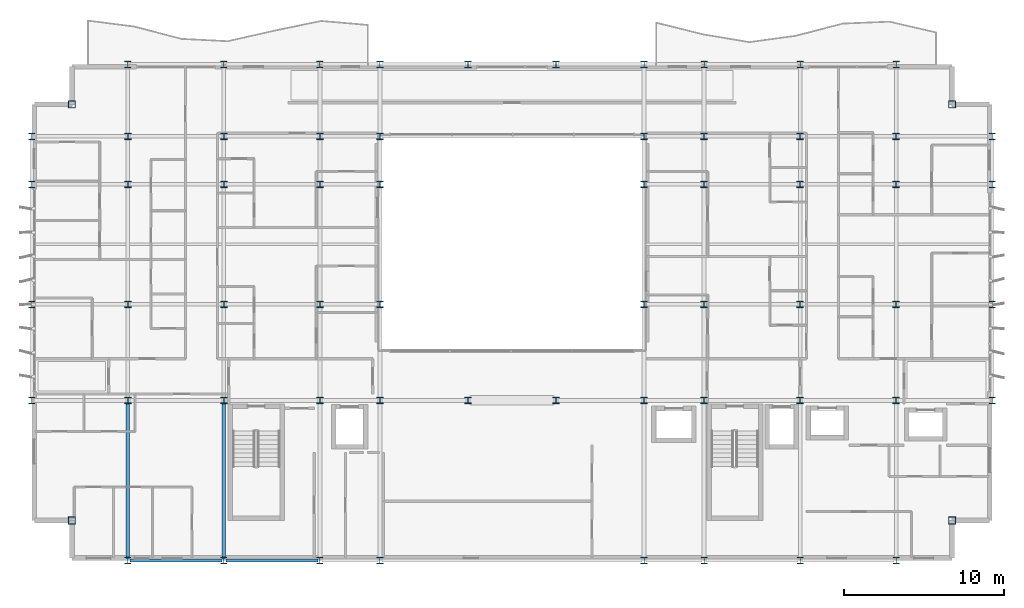
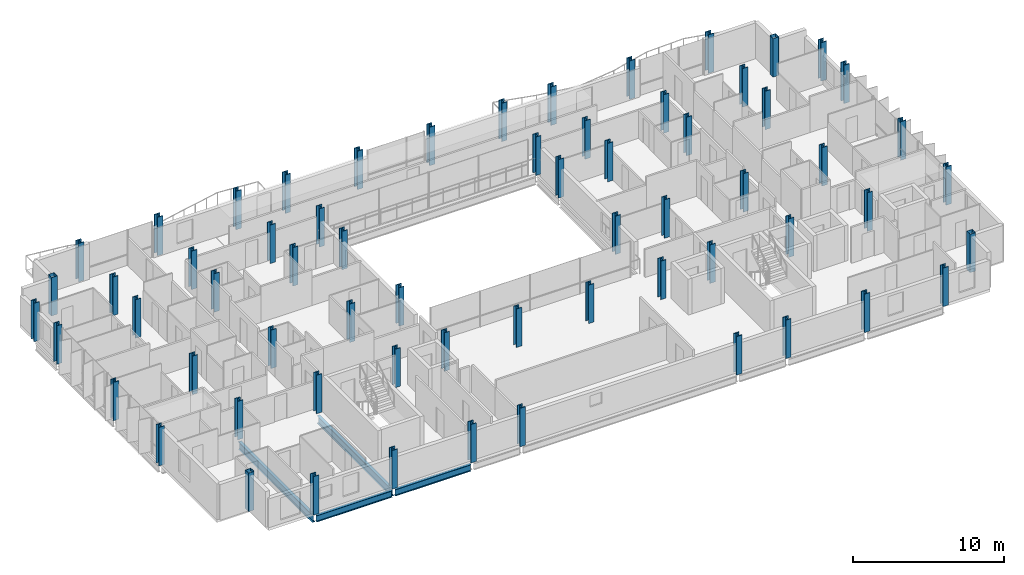
# One storey, part 1 of 38: 64 columns, 4 beams.
"""IFC4 building model written with IfcOpenShell, lengths in metres."""

from ifc_helpers import new_model, si_unit, direction, frame, origin, origin_2d, place, context, subcontext, project, spatial, hollow_rectangle, i_section, extrude, material, material_profile, profile_set, type_object, element, save


model = new_model("IFC4")

# Units and contexts
model_context = context("Model", 3, precision=1e-05, world=origin(), true_north=direction((0.0, 1.0)))
body_context = subcontext(model_context, "Body", "Model", "MODEL_VIEW")
ifc_project = project(units=[si_unit("LENGTHUNIT", "METRE"), si_unit("AREAUNIT", "SQUARE_METRE"), si_unit("VOLUMEUNIT", "CUBIC_METRE"), si_unit("PLANEANGLEUNIT", "RADIAN"), si_unit("MASSUNIT", "GRAM", prefix="KILO")], contexts=[model_context])

# Site, building, storey
site_placement = place(None, origin())
site = spatial("IfcSite", under=ifc_project, at=site_placement, CompositionType="ELEMENT")
building_placement = place(site_placement, origin())
building = spatial("IfcBuilding", under=site, at=building_placement, Name="Brevholm Reach", CompositionType="ELEMENT")
storey_placement = place(building_placement, frame((0.0, 0.0, 128.300048828125)))
storey = spatial("IfcBuildingStorey", under=building, at=storey_placement, Name="L38", CompositionType="ELEMENT", Elevation=128.300048828125)

# Columns
ifc_material_1 = material(Name="Structural Steel S460NH", Category="steel")
ifc_material_profile_1 = material_profile(ifc_material_1, hollow_rectangle(XDim=0.449951171875, YDim=0.449951171875, WallThickness=0.02490234375, InnerFilletRadius=0.011962890625, OuterFilletRadius=0.02392578125, at=origin_2d()), Name="SHS 450x450x25")
ifc_profile_set_1 = profile_set([ifc_material_profile_1], Name="Structural Steel S460NH")
column_type_1 = type_object("IfcColumnType", Name="COL-SHS1", PredefinedType="COLUMN", material=ifc_profile_set_1)
for number, where, z_axis, x_axis, name in (
    (1, (2.5, 2.5, 0.0), (0.0, 0.0, 1.0), (1.0, 0.0, 0.0), "L38 Column 05"),
    (2, (2.5, 28.5, 0.0), (0.0, 0.0, 1.0), (1.0, 0.0, 0.0), "L38 Column 06"),
    (3, (57.5, 2.5, 0.0), (0.0, 0.0, 1.0), (1.0, 0.0, 0.0), "L38 Column 59"),
    (4, (57.5, 28.5, 0.0), (0.0, 0.0, 1.0), (1.0, 0.0, 0.0), "L38 Column 60"),
):
    element("IfcColumn", number, at=place(storey_placement, frame(where, z_axis=z_axis, x_axis=x_axis)), inside=storey, type_object=column_type_1, Name=name, PredefinedType="COLUMN", context=body_context, shape_type="SweptSolid", body=[
        extrude(hollow_rectangle(XDim=0.449951171875, YDim=0.449951171875, WallThickness=0.02490234375, InnerFilletRadius=0.011962890625, OuterFilletRadius=0.02392578125, at=origin_2d()), origin(), (0.0, 0.0, 1.0), 3.099853515625),
    ])
ifc_material_2 = material(Name="Structural Steel S460ML", Category="steel")
ifc_material_profile_2 = material_profile(ifc_material_2, i_section(OverallWidth=0.412109375, OverallDepth=0.4365234375, WebThickness=0.035888671875, FlangeThickness=0.05810546875, FilletRadius=0.01513671875, at=origin_2d()), Name="UKC 356x406x467")
ifc_profile_set_2 = profile_set([ifc_material_profile_2], Name="Structural Steel S460ML")
column_type_2 = type_object("IfcColumnType", Name="COL-UC3", PredefinedType="COLUMN", material=ifc_profile_set_2)
for number, where, z_axis, x_axis, name in (
    (5, (0.0, 10.0, 0.0), (0.0, 0.0, 1.0), (1.0, 0.0, 0.0), "L38 Column 01"),
    (6, (0.0, 16.0, 0.0), (0.0, 0.0, 1.0), (1.0, 0.0, 0.0), "L38 Column 02"),
    (7, (0.0, 23.5, 0.0), (0.0, 0.0, 1.0), (1.0, 0.0, 0.0), "L38 Column 03"),
    (8, (0.0, 26.5, 0.0), (0.0, 0.0, 1.0), (1.0, 0.0, 0.0), "L38 Column 04"),
    (9, (6.0, 0.0, 0.0), (0.0, 0.0, 1.0), (1.0, 0.0, 0.0), "L38 Column 07"),
    (10, (6.0, 31.0, 0.0), (0.0, 0.0, 1.0), (1.0, 0.0, 0.0), "L38 Column 12"),
    (11, (12.0, 0.0, 0.0), (0.0, 0.0, 1.0), (1.0, 0.0, 0.0), "L38 Column 13"),
    (12, (12.0, 31.0, 0.0), (0.0, 0.0, 1.0), (1.0, 0.0, 0.0), "L38 Column 18"),
    (13, (18.0, 0.0, 0.0), (0.0, 0.0, 1.0), (1.0, 0.0, 0.0), "L38 Column 19"),
    (14, (18.0, 31.0, 0.0), (0.0, 0.0, 1.0), (1.0, 0.0, 0.0), "L38 Column 24"),
    (15, (21.75, 0.0, 0.0), (0.0, 0.0, 1.0), (1.0, 0.0, 0.0), "L38 Column 25"),
    (16, (21.75, 31.0, 0.0), (0.0, 0.0, 1.0), (1.0, 0.0, 0.0), "L38 Column 30"),
    (17, (27.25, 31.0, 0.0), (0.0, 0.0, 1.0), (1.0, 0.0, 0.0), "L38 Column 32"),
    (18, (32.75, 31.0, 0.0), (0.0, 0.0, 1.0), (1.0, 0.0, 0.0), "L38 Column 34"),
    (19, (38.25, 0.0, 0.0), (0.0, 0.0, 1.0), (1.0, 0.0, 0.0), "L38 Column 35"),
    (20, (38.25, 31.0, 0.0), (0.0, 0.0, 1.0), (1.0, 0.0, 0.0), "L38 Column 40"),
    (21, (42.0, 0.0, 0.0), (0.0, 0.0, 1.0), (1.0, 0.0, 0.0), "L38 Column 41"),
    (22, (42.0, 31.0, 0.0), (0.0, 0.0, 1.0), (1.0, 0.0, 0.0), "L38 Column 46"),
    (23, (48.0, 0.0, 0.0), (0.0, 0.0, 1.0), (1.0, 0.0, 0.0), "L38 Column 47"),
    (24, (48.0, 31.0, 0.0), (0.0, 0.0, 1.0), (1.0, 0.0, 0.0), "L38 Column 52"),
    (25, (54.0, 0.0, 0.0), (0.0, 0.0, 1.0), (1.0, 0.0, 0.0), "L38 Column 53"),
    (26, (54.0, 31.0, 0.0), (0.0, 0.0, 1.0), (1.0, 0.0, 0.0), "L38 Column 58"),
    (27, (60.0, 10.0, 0.0), (0.0, 0.0, 1.0), (1.0, 0.0, 0.0), "L38 Column 61"),
    (28, (60.0, 16.0, 0.0), (0.0, 0.0, 1.0), (1.0, 0.0, 0.0), "L38 Column 62"),
    (29, (60.0, 23.5, 0.0), (0.0, 0.0, 1.0), (1.0, 0.0, 0.0), "L38 Column 63"),
    (30, (60.0, 26.5, 0.0), (0.0, 0.0, 1.0), (1.0, 0.0, 0.0), "L38 Column 64"),
):
    element("IfcColumn", number, at=place(storey_placement, frame(where, z_axis=z_axis, x_axis=x_axis)), inside=storey, type_object=column_type_2, Name=name, PredefinedType="COLUMN", context=body_context, shape_type="SweptSolid", body=[
        extrude(i_section(OverallWidth=0.412109375, OverallDepth=0.4365234375, WebThickness=0.035888671875, FlangeThickness=0.05810546875, FilletRadius=0.01513671875, at=origin_2d()), origin(), (0.0, 0.0, 1.0), 3.099853515625),
    ])
ifc_material_3 = material(Name="Structural Steel S355J2", Category="steel")
ifc_material_profile_3 = material_profile(ifc_material_3, i_section(OverallWidth=0.406982421875, OverallDepth=0.4189453125, WebThickness=0.030517578125, FlangeThickness=0.04931640625, FilletRadius=0.01513671875, at=origin_2d()), Name="UKC 356x406x393")
ifc_profile_set_3 = profile_set([ifc_material_profile_3], Name="Structural Steel S355J2")
column_type_3 = type_object("IfcColumnType", Name="COL-UC4", PredefinedType="COLUMN", material=ifc_profile_set_3)
for number, where, z_axis, x_axis, name in (
    (31, (6.0, 10.0, 0.0), (0.0, 0.0, 1.0), (1.0, 0.0, 0.0), "L38 Column 08"),
    (32, (6.0, 16.0, 0.0), (0.0, 0.0, 1.0), (1.0, 0.0, 0.0), "L38 Column 09"),
    (33, (6.0, 23.5, 0.0), (0.0, 0.0, 1.0), (1.0, 0.0, 0.0), "L38 Column 10"),
    (34, (6.0, 26.5, 0.0), (0.0, 0.0, 1.0), (1.0, 0.0, 0.0), "L38 Column 11"),
    (35, (12.0, 10.0, 0.0), (0.0, 0.0, 1.0), (1.0, 0.0, 0.0), "L38 Column 14"),
    (36, (12.0, 16.0, 0.0), (0.0, 0.0, 1.0), (1.0, 0.0, 0.0), "L38 Column 15"),
    (37, (12.0, 23.5, 0.0), (0.0, 0.0, 1.0), (1.0, 0.0, 0.0), "L38 Column 16"),
    (38, (12.0, 26.5, 0.0), (0.0, 0.0, 1.0), (1.0, 0.0, 0.0), "L38 Column 17"),
    (39, (18.0, 10.0, 0.0), (0.0, 0.0, 1.0), (1.0, 0.0, 0.0), "L38 Column 20"),
    (40, (18.0, 16.0, 0.0), (0.0, 0.0, 1.0), (1.0, 0.0, 0.0), "L38 Column 21"),
    (41, (18.0, 23.5, 0.0), (0.0, 0.0, 1.0), (1.0, 0.0, 0.0), "L38 Column 22"),
    (42, (18.0, 26.5, 0.0), (0.0, 0.0, 1.0), (1.0, 0.0, 0.0), "L38 Column 23"),
    (43, (21.75, 10.0, 0.0), (0.0, 0.0, 1.0), (1.0, 0.0, 0.0), "L38 Column 26"),
    (44, (21.75, 16.0, 0.0), (0.0, 0.0, 1.0), (1.0, 0.0, 0.0), "L38 Column 27"),
    (45, (21.75, 23.5, 0.0), (0.0, 0.0, 1.0), (1.0, 0.0, 0.0), "L38 Column 28"),
    (46, (21.75, 26.5, 0.0), (0.0, 0.0, 1.0), (1.0, 0.0, 0.0), "L38 Column 29"),
    (47, (27.25, 10.0, 0.0), (0.0, 0.0, 1.0), (1.0, 0.0, 0.0), "L38 Column 31"),
    (48, (32.75, 10.0, 0.0), (0.0, 0.0, 1.0), (1.0, 0.0, 0.0), "L38 Column 33"),
    (49, (38.25, 10.0, 0.0), (0.0, 0.0, 1.0), (1.0, 0.0, 0.0), "L38 Column 36"),
    (50, (38.25, 16.0, 0.0), (0.0, 0.0, 1.0), (1.0, 0.0, 0.0), "L38 Column 37"),
    (51, (38.25, 23.5, 0.0), (0.0, 0.0, 1.0), (1.0, 0.0, 0.0), "L38 Column 38"),
    (52, (38.25, 26.5, 0.0), (0.0, 0.0, 1.0), (1.0, 0.0, 0.0), "L38 Column 39"),
    (53, (42.0, 10.0, 0.0), (0.0, 0.0, 1.0), (1.0, 0.0, 0.0), "L38 Column 42"),
    (54, (42.0, 16.0, 0.0), (0.0, 0.0, 1.0), (1.0, 0.0, 0.0), "L38 Column 43"),
    (55, (42.0, 23.5, 0.0), (0.0, 0.0, 1.0), (1.0, 0.0, 0.0), "L38 Column 44"),
    (56, (42.0, 26.5, 0.0), (0.0, 0.0, 1.0), (1.0, 0.0, 0.0), "L38 Column 45"),
    (57, (48.0, 10.0, 0.0), (0.0, 0.0, 1.0), (1.0, 0.0, 0.0), "L38 Column 48"),
    (58, (48.0, 16.0, 0.0), (0.0, 0.0, 1.0), (1.0, 0.0, 0.0), "L38 Column 49"),
    (59, (48.0, 23.5, 0.0), (0.0, 0.0, 1.0), (1.0, 0.0, 0.0), "L38 Column 50"),
    (60, (48.0, 26.5, 0.0), (0.0, 0.0, 1.0), (1.0, 0.0, 0.0), "L38 Column 51"),
    (61, (54.0, 10.0, 0.0), (0.0, 0.0, 1.0), (1.0, 0.0, 0.0), "L38 Column 54"),
    (62, (54.0, 16.0, 0.0), (0.0, 0.0, 1.0), (1.0, 0.0, 0.0), "L38 Column 55"),
    (63, (54.0, 23.5, 0.0), (0.0, 0.0, 1.0), (1.0, 0.0, 0.0), "L38 Column 56"),
    (64, (54.0, 26.5, 0.0), (0.0, 0.0, 1.0), (1.0, 0.0, 0.0), "L38 Column 57"),
):
    element("IfcColumn", number, at=place(storey_placement, frame(where, z_axis=z_axis, x_axis=x_axis)), inside=storey, type_object=column_type_3, Name=name, PredefinedType="COLUMN", context=body_context, shape_type="SweptSolid", body=[
        extrude(i_section(OverallWidth=0.406982421875, OverallDepth=0.4189453125, WebThickness=0.030517578125, FlangeThickness=0.04931640625, FilletRadius=0.01513671875, at=origin_2d()), origin(), (0.0, 0.0, 1.0), 3.099853515625),
    ])

# Beams
ifc_material_4 = material(Name="Structural Steel S355J2", Category="steel")
ifc_material_profile_4 = material_profile(ifc_material_4, i_section(OverallWidth=0.209228515625, OverallDepth=0.533203125, WebThickness=0.010009765625, FlangeThickness=0.015625, FilletRadius=0.0126953125, at=origin_2d()), Name="UKB 533x210x92")
ifc_profile_set_4 = profile_set([ifc_material_profile_4], Name="Structural Steel S355J2")
beam_type_1 = type_object("IfcBeamType", Name="BM-SP533", PredefinedType="SPANDREL", material=ifc_profile_set_4)
for number, where, z_axis, x_axis, name in (
    (65, (6.1201171875, 0.0, -0.486572265625), (1.0, 0.0, 0.0), (0.0, 1.0, 0.0), "L38 SP-02 Framing Beam"),
    (66, (12.1201171875, 0.0, -0.486572265625), (1.0, 0.0, 0.0), (0.0, 1.0, 0.0), "L38 SP-02 Framing Beam"),
):
    element("IfcBeam", number, at=place(storey_placement, frame(where, z_axis=z_axis, x_axis=x_axis)), inside=storey, type_object=beam_type_1, Name=name, PredefinedType="SPANDREL", context=body_context, shape_type="SweptSolid", body=[
        extrude(i_section(OverallWidth=0.209228515625, OverallDepth=0.533203125, WebThickness=0.010009765625, FlangeThickness=0.015625, FilletRadius=0.0126953125, at=origin_2d()), origin(), (0.0, 0.0, 1.0), 5.759765625),
    ])
ifc_material_5 = material(Name="Structural Steel S355J2", Category="steel")
ifc_material_profile_5 = material_profile(ifc_material_5, i_section(OverallWidth=0.22900390625, OverallDepth=0.6123046875, WebThickness=0.011962890625, FlangeThickness=0.01953125, FilletRadius=0.0126953125, at=origin_2d()), Name="UKB 610x229x125")
ifc_profile_set_5 = profile_set([ifc_material_profile_5], Name="Structural Steel S355J2")
beam_type_2 = type_object("IfcBeamType", Name="BM-SP610", PredefinedType="SPANDREL", material=ifc_profile_set_5)
for number, where, z_axis, x_axis, name in (
    (67, (6.0, 0.1201171875, -0.526123046875), (0.0, 1.0, 0.0), (-1.0, 0.0, 0.0), "L38 SP-01 Framing Beam"),
    (68, (12.0, 0.1201171875, -0.526123046875), (0.0, 1.0, 0.0), (-1.0, 0.0, 0.0), "L38 SP-01 Framing Beam"),
):
    element("IfcBeam", number, at=place(storey_placement, frame(where, z_axis=z_axis, x_axis=x_axis)), inside=storey, type_object=beam_type_2, Name=name, PredefinedType="SPANDREL", context=body_context, shape_type="SweptSolid", body=[
        extrude(i_section(OverallWidth=0.22900390625, OverallDepth=0.6123046875, WebThickness=0.011962890625, FlangeThickness=0.01953125, FilletRadius=0.0126953125, at=origin_2d()), origin(), (0.0, 0.0, 1.0), 9.759765625),
    ])

save(model, "model.ifc")
